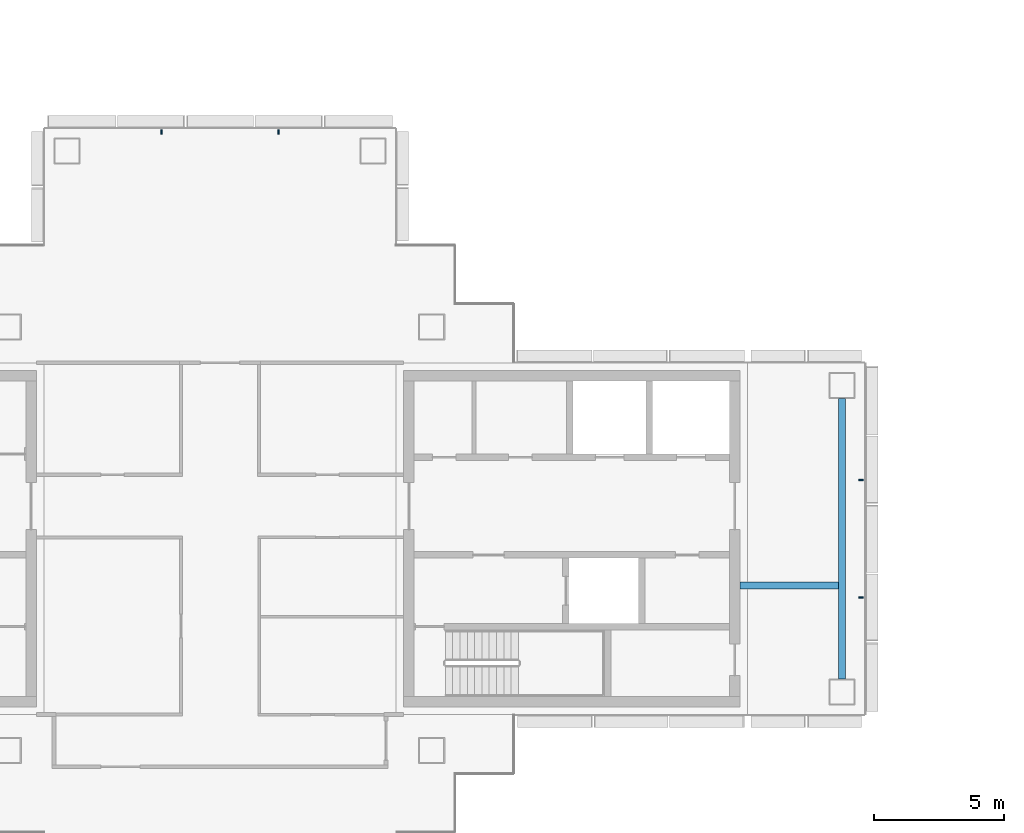
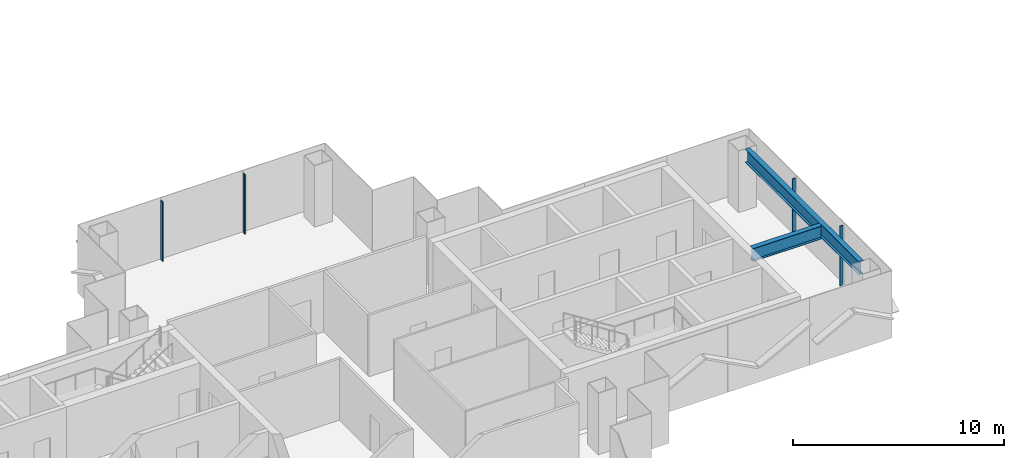
# One storey, part 4 of 17: 4 members, 2 beams, 2 elements without a shape of their own.
"""IFC4 building model written with IfcOpenShell, lengths in metres."""

from ifc_helpers import new_model, si_unit, direction, frame, origin, origin_2d, place, context, subcontext, project, spatial, rectangle, i_section, extrude, material, layer, layer_set, material_profile, profile_set, type_object, element, aggregate, save


model = new_model("IFC4")

# Units and contexts
model_context = context("Model", 3, precision=1e-05, world=origin(), true_north=direction((0.0, 1.0)))
body_context = subcontext(model_context, "Body", "Model", "MODEL_VIEW")
ifc_project = project(units=[si_unit("LENGTHUNIT", "METRE"), si_unit("AREAUNIT", "SQUARE_METRE"), si_unit("VOLUMEUNIT", "CUBIC_METRE"), si_unit("PLANEANGLEUNIT", "RADIAN"), si_unit("MASSUNIT", "GRAM", prefix="KILO")], contexts=[model_context])

# Site, building, storey
site_placement = place(None, origin())
site = spatial("IfcSite", under=ifc_project, at=site_placement, CompositionType="ELEMENT")
building_placement = place(site_placement, origin())
building = spatial("IfcBuilding", under=site, at=building_placement, Name="Shamsa Quay Exchange Towers", CompositionType="ELEMENT")
storey_placement = place(building_placement, frame((0.0, 0.0, 194.39990234375)))
storey = spatial("IfcBuildingStorey", under=building, at=storey_placement, Name="L46", CompositionType="ELEMENT", Elevation=194.39990234375)

# Curtain wall, members
ifc_material_1 = material(Name="Aluminium EN AW-6063 T6, black anodised", Category="aluminium")
ifc_layer = layer(ifc_material_1, 0.280029296875)
ifc_layer_set = layer_set([ifc_layer], Name="CW-1 UNITISED VISION GLASS")
curtain_wall_type = type_object("IfcCurtainWallType", Name="CW-1 UNITISED VISION GLASS", PredefinedType="NOTDEFINED", material=ifc_layer_set)
curtain_wall_1_placement = place(storey_placement, origin())
curtain_wall_1 = element("IfcCurtainWall", 1, at=curtain_wall_1_placement, inside=storey, type_object=curtain_wall_type, Name="CW1 T1-END-U+ L46", PredefinedType="NOTDEFINED")
ifc_material_profile_1 = material_profile(ifc_material_1, rectangle(XDim=0.179931640625, YDim=0.06005859375, at=origin_2d()), Name="MU60x180")
ifc_profile_set_1 = profile_set([ifc_material_profile_1], Name="Aluminium EN AW-6063 T6, black anodised")
member_type = type_object("IfcMemberType", Name="CW1 MULLION 60x180", PredefinedType="MULLION", material=ifc_profile_set_1)
member_1_placement = place(storey_placement, frame((-9.14990234375, -2.25, 0.0), z_axis=(0.0, 0.0, 1.0), x_axis=(-1.0, 0.0, 0.0)))
member_1 = element("IfcMember", 2, at=member_1_placement, type_object=member_type, Name="CW1 mullion", PredefinedType="MULLION", context=body_context, shape_type="SweptSolid", body=[
    extrude(rectangle(XDim=0.179931640625, YDim=0.06005859375, at=origin_2d()), origin(), (0.0, 0.0, 1.0), 3.4501953125),
])
member_2_placement = place(storey_placement, frame((-9.14990234375, 2.25, 0.0), z_axis=(0.0, 0.0, 1.0), x_axis=(-1.0, 0.0, 0.0)))
member_2 = element("IfcMember", 3, at=member_2_placement, type_object=member_type, Name="CW1 mullion", PredefinedType="MULLION", context=body_context, shape_type="SweptSolid", body=[
    extrude(rectangle(XDim=0.179931640625, YDim=0.06005859375, at=origin_2d()), origin(), (0.0, 0.0, 1.0), 3.4501953125),
])
aggregate(curtain_wall_1, [member_1, member_2])

curtain_wall_2_placement = place(storey_placement, origin())
curtain_wall_2 = element("IfcCurtainWall", 4, at=curtain_wall_2_placement, inside=storey, type_object=curtain_wall_type, Name="CW1 T1-END-V+ L46", PredefinedType="NOTDEFINED")
member_3_placement = place(storey_placement, frame((-31.5, 15.60009765625, 0.0), z_axis=(0.0, 0.0, 1.0), x_axis=(0.0, -1.0, 0.0)))
member_3 = element("IfcMember", 5, at=member_3_placement, type_object=member_type, Name="CW1 mullion", PredefinedType="MULLION", context=body_context, shape_type="SweptSolid", body=[
    extrude(rectangle(XDim=0.179931640625, YDim=0.06005859375, at=origin_2d()), origin(), (0.0, 0.0, 1.0), 3.4501953125),
])
member_4_placement = place(storey_placement, frame((-36.0, 15.60009765625, 0.0), z_axis=(0.0, 0.0, 1.0), x_axis=(0.0, -1.0, 0.0)))
member_4 = element("IfcMember", 6, at=member_4_placement, type_object=member_type, Name="CW1 mullion", PredefinedType="MULLION", context=body_context, shape_type="SweptSolid", body=[
    extrude(rectangle(XDim=0.179931640625, YDim=0.06005859375, at=origin_2d()), origin(), (0.0, 0.0, 1.0), 3.4501953125),
])
aggregate(curtain_wall_2, [member_3, member_4])

# Beams
ifc_material_2 = material(Name="Steel S355", Category="steel")
ifc_material_profile_2 = material_profile(ifc_material_2, i_section(OverallWidth=0.26611328125, OverallDepth=0.7578125, WebThickness=0.013916015625, FlangeThickness=0.019287109375, at=origin_2d()), Name="W30x108")
ifc_profile_set_2 = profile_set([ifc_material_profile_2], Name="Steel S355")
beam_type = type_object("IfcBeamType", Name="End-zone beam W30x108", PredefinedType="BEAM", material=ifc_profile_set_2)
beam_1_placement = place(storey_placement, frame((-9.875, -5.375, 3.171142578125), z_axis=(0.0, 1.0, 0.0), x_axis=(-1.0, 0.0, 0.0)))
element("IfcBeam", 7, at=beam_1_placement, inside=storey, type_object=beam_type, Name="End beam T1 U+ end zone L46", PredefinedType="BEAM", context=body_context, shape_type="SweptSolid", body=[
    extrude(i_section(OverallWidth=0.26611328125, OverallDepth=0.7578125, WebThickness=0.013916015625, FlangeThickness=0.019287109375, at=origin_2d()), origin(), (0.0, 0.0, 1.0), 10.75),
])
beam_2_placement = place(storey_placement, frame((-13.800048828125, -1.800048828125, 3.171142578125), z_axis=(1.0, 0.0, 0.0), x_axis=(0.0, 1.0, 0.0)))
element("IfcBeam", 8, at=beam_2_placement, inside=storey, type_object=beam_type, Name="Spine beam T1 U+ end zone L46", PredefinedType="BEAM", context=body_context, shape_type="SweptSolid", body=[
    extrude(i_section(OverallWidth=0.26611328125, OverallDepth=0.7578125, WebThickness=0.013916015625, FlangeThickness=0.019287109375, at=origin_2d()), origin(), (0.0, 0.0, 1.0), 3.7919921875),
])

save(model, "model.ifc")
